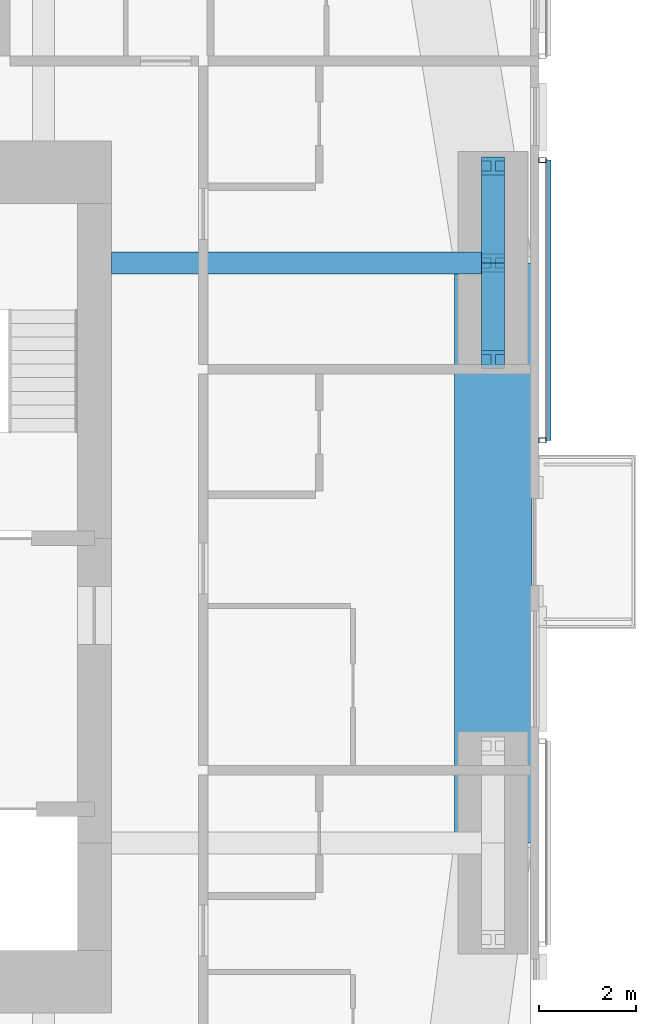
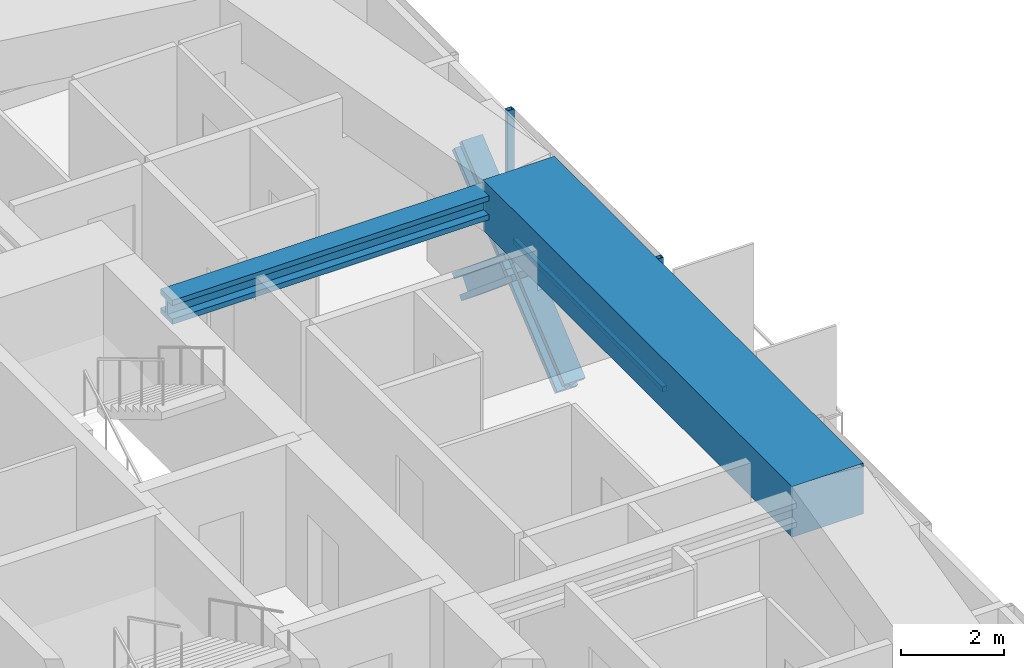
# One storey, part 8 of 22: 7 members, 2 beams, 1 element without a shape of its own.
"""IFC4 building model written with IfcOpenShell, lengths in metres."""

from ifc_helpers import new_model, si_unit, direction, frame, origin, origin_2d, place, context, subcontext, project, spatial, rectangle, hollow_rectangle, i_section, extrude, material, material_profile, profile_set, type_object, element, aggregate, save


model = new_model("IFC4")

# Units and contexts
model_context = context("Model", 3, precision=1e-05, world=origin(), true_north=direction((0.0, 1.0)))
body_context = subcontext(model_context, "Body", "Model", "MODEL_VIEW")
ifc_project = project(units=[si_unit("LENGTHUNIT", "METRE"), si_unit("AREAUNIT", "SQUARE_METRE"), si_unit("VOLUMEUNIT", "CUBIC_METRE"), si_unit("PLANEANGLEUNIT", "RADIAN"), si_unit("MASSUNIT", "GRAM", prefix="KILO")], contexts=[model_context])

# Site, building, storey
site_placement = place(None, origin())
site = spatial("IfcSite", under=ifc_project, at=site_placement, CompositionType="ELEMENT")
building_placement = place(site_placement, origin())
building = spatial("IfcBuilding", under=site, at=building_placement, Name="Jalousie Tower", CompositionType="ELEMENT")
storey_placement = place(building_placement, frame((0.0, 0.0, 161.050048828125)))
storey = spatial("IfcBuildingStorey", under=building, at=storey_placement, Name="L43", CompositionType="ELEMENT", Elevation=161.050048828125)

# Beam
ifc_material_1 = material(Name="Steel ASTM A992 Grade 50", Category="steel")
ifc_material_profile_1 = material_profile(ifc_material_1, i_section(OverallWidth=0.45458984375, OverallDepth=0.569091796875, WebThickness=0.077880859375, FlangeThickness=0.124755859375, at=origin_2d()), Name="W14X730")
ifc_profile_set_1 = profile_set([ifc_material_profile_1], Name="Steel ASTM A992 Grade 50")
beam_type_1 = type_object("IfcBeamType", Name="LEAN COLLECTOR W14X730", PredefinedType="BEAM", material=ifc_profile_set_1)
beam_1_placement = place(storey_placement, frame((52.050048828125, 25.0, 2.825439453125), z_axis=(-1.0, 0.0, 0.0), x_axis=(0.0, -1.0, 0.0)))
element("IfcBeam", 1, at=beam_1_placement, inside=storey, type_object=beam_type_1, Name="Lean collector under L44", PredefinedType="BEAM", context=body_context, shape_type="SweptSolid", body=[
    extrude(i_section(OverallWidth=0.45458984375, OverallDepth=0.569091796875, WebThickness=0.077880859375, FlangeThickness=0.124755859375, at=origin_2d()), origin(), (0.0, 0.0, 1.0), 7.900146484375),
])

# Members
ifc_material_2 = material(Name="Steel ASTM A992 Grade 50", Category="steel")
ifc_material_profile_2 = material_profile(ifc_material_2, i_section(OverallWidth=0.472412109375, OverallDepth=0.5791015625, WebThickness=0.094970703125, FlangeThickness=0.1298828125, at=origin_2d()), Name="W14X808")
ifc_profile_set_2 = profile_set([ifc_material_profile_2], Name="Steel ASTM A992 Grade 50")
member_type_1 = type_object("IfcMemberType", Name="PERIMETER BRACE W14X808", PredefinedType="BRACE", material=ifc_profile_set_2)
for number, where, z_axis, x_axis, name in (
    (2, (52.050048828125, 23.0, -0.60009765625), (0.0, 0.766638753323, 0.642078672674), (-1.0, 0.0, 0.0), "Perimeter brace 07 L43 part 1"),
    (3, (52.050048828125, 25.0, 1.074951171875), (0.0, 0.766638753323, 0.642078672674), (-1.0, 0.0, 0.0), "Perimeter brace 07 L43 part 2"),
    (4, (52.050048828125, 27.0, -0.60009765625), (0.0, -0.766638753323, 0.642078672674), (1.0, 0.0, 0.0), "Perimeter brace 07 L43 part 3"),
    (5, (52.050048828125, 25.0, 1.074951171875), (0.0, -0.766638753323, 0.642078672674), (1.0, 0.0, 0.0), "Perimeter brace 07 L43 part 4"),
):
    element("IfcMember", number, at=place(storey_placement, frame(where, z_axis=z_axis, x_axis=x_axis)), inside=storey, type_object=member_type_1, Name=name, PredefinedType="BRACE", context=body_context, shape_type="SweptSolid", body=[
        extrude(i_section(OverallWidth=0.472412109375, OverallDepth=0.5791015625, WebThickness=0.094970703125, FlangeThickness=0.1298828125, at=origin_2d()), origin(), (0.0, 0.0, 1.0), 2.60888671875),
    ])

# Beam
ifc_material_3 = material(Name="Concrete f'c 40 MPa", Category="concrete")
ifc_material_profile_3 = material_profile(ifc_material_3, rectangle(XDim=1.60009765625, YDim=1.199951171875, at=origin_2d()), Name="RC 1600x1200")
ifc_profile_set_3 = profile_set([ifc_material_profile_3], Name="Concrete f'c 40 MPa")
beam_type_2 = type_object("IfcBeamType", Name="RC BEAM 1600x1200", PredefinedType="BEAM", material=ifc_profile_set_3)
beam_2_placement = place(storey_placement, frame((52.050048828125, 13.0, 2.75), z_axis=(0.0, 1.0, 0.0), x_axis=(-1.0, 0.0, 0.0)))
element("IfcBeam", 6, at=beam_2_placement, inside=storey, type_object=beam_type_2, Name="Edge band beam 06-07 under L44", PredefinedType="BEAM", context=body_context, shape_type="SweptSolid", body=[
    extrude(rectangle(XDim=1.60009765625, YDim=1.199951171875, at=origin_2d()), origin(), (0.0, 0.0, 1.0), 12.0),
])

# Curtain wall, members
ifc_material_4 = material(Name="Perforated aluminium sheet", Category="aluminium")
curtain_wall_type = type_object("IfcCurtainWallType", Name="SOLAR SCREEN SS-1", PredefinedType="USERDEFINED", material=ifc_material_4)
curtain_wall_placement = place(storey_placement, origin())
curtain_wall = element("IfcCurtainWall", 7, at=curtain_wall_placement, inside=storey, type_object=curtain_wall_type, Name="Solar screen L43", ObjectType="SOLAR SCREEN SS-1", PredefinedType="USERDEFINED")
ifc_material_5 = material(Name="Steel ASTM A500 Grade C", Category="steel")
ifc_material_profile_4 = material_profile(ifc_material_5, hollow_rectangle(XDim=0.1015625, YDim=0.15234375, WallThickness=0.00634765625, at=origin_2d()), Name="HSS6X4X1/4")
ifc_profile_set_4 = profile_set([ifc_material_profile_4], Name="Steel ASTM A500 Grade C")
member_type_2 = type_object("IfcMemberType", Name="SOLAR SCREEN SS-1 MULLION", PredefinedType="MULLION", material=ifc_profile_set_4)
member_1_placement = place(storey_placement, frame((53.0712890625, 21.324951171875, -0.1201171875), z_axis=(0.0, 0.0, 1.0), x_axis=(0.0, 1.0, 0.0)))
member_1 = element("IfcMember", 8, at=member_1_placement, type_object=member_type_2, Name="SS1 post 1", PredefinedType="MULLION", context=body_context, shape_type="SweptSolid", body=[
    extrude(hollow_rectangle(XDim=0.1015625, YDim=0.15234375, WallThickness=0.00634765625, at=origin_2d()), origin(), (0.0, 0.0, 1.0), 3.22998046875),
])
member_2_placement = place(storey_placement, frame((53.0712890625, 27.12451171875, -0.1201171875), z_axis=(0.0, 0.0, 1.0), x_axis=(0.0, 1.0, 0.0)))
member_2 = element("IfcMember", 9, at=member_2_placement, type_object=member_type_2, Name="SS1 post 2", PredefinedType="MULLION", context=body_context, shape_type="SweptSolid", body=[
    extrude(hollow_rectangle(XDim=0.1015625, YDim=0.15234375, WallThickness=0.00634765625, at=origin_2d()), origin(), (0.0, 0.0, 1.0), 3.22998046875),
])
ifc_material_6 = material(Name="Extruded aluminium screen rail", Category="aluminium")
ifc_material_profile_5 = material_profile(ifc_material_6, rectangle(XDim=0.1015625, YDim=0.1201171875, at=origin_2d()), Name="RAIL 102x120")
ifc_profile_set_5 = profile_set([ifc_material_profile_5], Name="Extruded aluminium screen rail")
member_type_3 = type_object("IfcMemberType", Name="SOLAR SCREEN SS-1 TRANSOM", PredefinedType="USERDEFINED", material=ifc_profile_set_5)
member_3_placement = place(storey_placement, frame((53.1982421875, 21.324951171875, -0.06005859375), z_axis=(0.0, 1.0, 0.0), x_axis=(-1.0, 0.0, 0.0)))
member_3 = element("IfcMember", 10, at=member_3_placement, type_object=member_type_3, Name="SS1 rail", ObjectType="TRANSOM", PredefinedType="USERDEFINED", context=body_context, shape_type="SweptSolid", body=[
    extrude(rectangle(XDim=0.1015625, YDim=0.1201171875, at=origin_2d()), origin(), (0.0, 0.0, 1.0), 5.799560546875),
])
aggregate(curtain_wall, [member_1, member_2, member_3])

save(model, "model.ifc")
